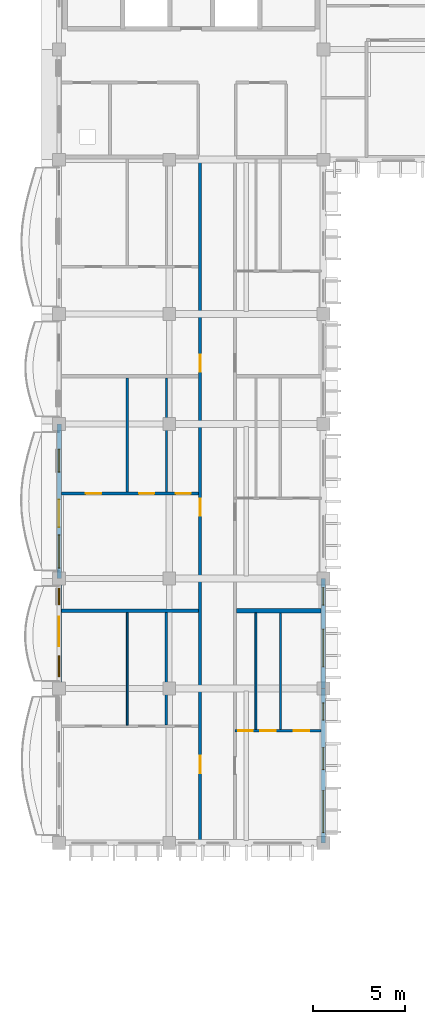
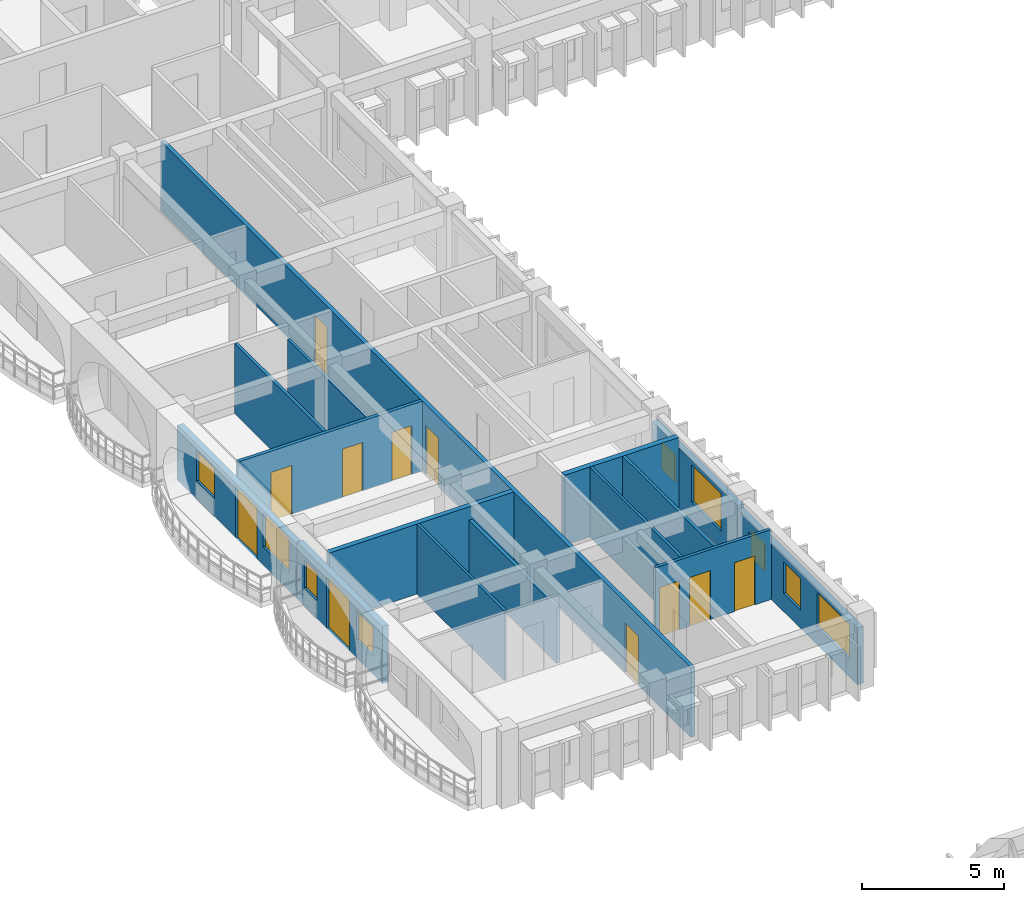
# One storey, part 48 of 101: 15 walls, 11 doors, 9 windows, 20 openings.
"""IFC4 building model written with IfcOpenShell, lengths in metres."""

from ifc_helpers import new_model, si_unit, direction, frame, frame_2d, origin, place, context, subcontext, project, spatial, rectangle, extrude, material, layer, layer_set, type_object, element, fill, save


model = new_model("IFC4")

# Units and contexts
model_context = context("Model", 3, precision=1e-05, world=origin(), true_north=direction((0.0, 1.0)))
body_context = subcontext(model_context, "Body", "Model", "MODEL_VIEW")
ifc_project = project(units=[si_unit("LENGTHUNIT", "METRE"), si_unit("AREAUNIT", "SQUARE_METRE"), si_unit("VOLUMEUNIT", "CUBIC_METRE"), si_unit("PLANEANGLEUNIT", "RADIAN"), si_unit("MASSUNIT", "GRAM", prefix="KILO"), si_unit("THERMODYNAMICTEMPERATUREUNIT", "KELVIN")], contexts=[model_context])

# Site, building, storey
site_placement = place(None, origin())
site = spatial("IfcSite", under=ifc_project, at=site_placement, CompositionType="ELEMENT")
building_placement = place(site_placement, origin())
building = spatial("IfcBuilding", under=site, at=building_placement, Name="Thalorik Housing Commons", CompositionType="ELEMENT")
storey_placement = place(building_placement, frame((0.0, 0.0, 8.10009765625)))
storey = spatial("IfcBuildingStorey", under=building, at=storey_placement, Name="L02", CompositionType="ELEMENT", Elevation=8.10009765625)

# Wall, openings, doors
ifc_material_1 = material(Name="Masonry fire-rated corridor wall", Category="masonry")
ifc_layer_1 = layer(ifc_material_1, 0.1650390625, Name="Masonry fire-rated corridor wall", Category="masonry")
ifc_layer_set_1 = layer_set([ifc_layer_1], Name="Masonry fire-rated corridor wall")
wall_type_1 = type_object("IfcWallType", Name="ARC-WAL-CORR-165", PredefinedType="PARTITIONING", material=ifc_layer_set_1)
wall_1_placement = place(storey_placement, frame((16.080078125, 72.12451171875, 0.0), z_axis=(0.0, 0.0, 1.0), x_axis=(0.0, 1.0, 0.0)))
wall_1 = element("IfcWall", 1, at=wall_1_placement, inside=storey, type_object=wall_type_1, Name="L02 Block A W Corridor Wall 1", PredefinedType="PARTITIONING", context=body_context, shape_type="SweptSolid", body=[
    extrude(rectangle(XDim=37.215576171875, YDim=0.1650390625, at=frame_2d((18.60791015625, 0.0))), origin(), (0.0, 0.0, 1.0), 3.0),
])
opening_1_placement = place(wall_1_placement, frame((3.656982421875, 0.0, 0.0)))
opening_1 = element("IfcOpeningElement", 2, at=opening_1_placement, cuts=wall_1, Name="Opening ID-0495", PredefinedType="OPENING", context=body_context, shape_type="SweptSolid", body=[
    extrude(rectangle(XDim=0.9599609375, YDim=2.1201171875, at=frame_2d((0.47998046875, 1.06005859375))), frame((0.0, 0.092529296875, 0.0), z_axis=(0.0, -1.0, 0.0), x_axis=(1.0, 0.0, 0.0)), (0.0, 0.0, 1.0), 0.18505859375),
])
opening_2_placement = place(wall_1_placement, frame((17.6904296875, 0.0, 0.0)))
opening_2 = element("IfcOpeningElement", 3, at=opening_2_placement, cuts=wall_1, Name="Opening ID-0496", PredefinedType="OPENING", context=body_context, shape_type="SweptSolid", body=[
    extrude(rectangle(XDim=0.919921875, YDim=2.10009765625, at=frame_2d((0.4599609375, 1.050048828125))), frame((0.0, 0.092529296875, 0.0), z_axis=(0.0, -1.0, 0.0), x_axis=(1.0, 0.0, 0.0)), (0.0, 0.0, 1.0), 0.18505859375),
])
opening_3_placement = place(wall_1_placement, frame((25.535400390625, 0.0, 0.0)))
opening_3 = element("IfcOpeningElement", 4, at=opening_3_placement, cuts=wall_1, Name="Opening ID-0497", PredefinedType="OPENING", context=body_context, shape_type="SweptSolid", body=[
    extrude(rectangle(XDim=0.919921875, YDim=2.10009765625, at=frame_2d((0.4599609375, 1.050048828125))), frame((0.0, 0.092529296875, 0.0), z_axis=(0.0, -1.0, 0.0), x_axis=(1.0, 0.0, 0.0)), (0.0, 0.0, 1.0), 0.18505859375),
])
ifc_material_2 = material(Name="Solid core hardwood timber", Category="wood")
door_type_1 = type_object("IfcDoorType", Name="ARC-DR-FD30-920", OperationType="NOTDEFINED", PredefinedType="DOOR", material=ifc_material_2)
door_1_placement = place(opening_2_placement, origin())
door_1 = element("IfcDoor", 5, at=door_1_placement, inside=storey, type_object=door_type_1, Name="L02 Flat AW-2A Entrance Door", OperationType="SINGLE_SWING_LEFT", OverallHeight=2.10009765625, OverallWidth=0.919921875, PredefinedType="DOOR", context=body_context, shape_type="SweptSolid", body=[
    extrude(rectangle(XDim=0.919921875, YDim=2.10009765625, at=frame_2d((0.4599609375, 1.050048828125))), frame((0.0, 0.02490234375, 0.0), z_axis=(0.0, -1.0, 0.0), x_axis=(1.0, 0.0, 0.0)), (0.0, 0.0, 1.0), 0.050048828125),
])
fill(opening_2, door_1)
door_2_placement = place(opening_3_placement, origin())
door_2 = element("IfcDoor", 6, at=door_2_placement, inside=storey, type_object=door_type_1, Name="L02 Flat AW-3A Entrance Door", OperationType="SINGLE_SWING_RIGHT", OverallHeight=2.10009765625, OverallWidth=0.919921875, PredefinedType="DOOR", context=body_context, shape_type="SweptSolid", body=[
    extrude(rectangle(XDim=0.919921875, YDim=2.10009765625, at=frame_2d((0.4599609375, 1.050048828125))), frame((0.0, 0.02490234375, 0.0), z_axis=(0.0, -1.0, 0.0), x_axis=(1.0, 0.0, 0.0)), (0.0, 0.0, 1.0), 0.050048828125),
])
fill(opening_3, door_2)
door_type_2 = type_object("IfcDoorType", Name="ARC-DR-FD30-960", OperationType="NOTDEFINED", PredefinedType="DOOR", material=ifc_material_2)
door_3_placement = place(opening_1_placement, origin())
door_3 = element("IfcDoor", 7, at=door_3_placement, inside=storey, type_object=door_type_2, Name="L02 Flat AW-1A Entrance Door", OperationType="SINGLE_SWING_RIGHT", OverallHeight=2.1201171875, OverallWidth=0.9599609375, PredefinedType="DOOR", context=body_context, shape_type="SweptSolid", body=[
    extrude(rectangle(XDim=0.9599609375, YDim=2.1201171875, at=frame_2d((0.47998046875, 1.06005859375))), frame((0.0, 0.02490234375, 0.0), z_axis=(0.0, -1.0, 0.0), x_axis=(1.0, 0.0, 0.0)), (0.0, 0.0, 1.0), 0.050048828125),
])
fill(opening_1, door_3)

# Wall, openings, door, windows
ifc_material_3 = material(Name="White precast concrete C40/50", Category="concrete")
ifc_layer_2 = layer(ifc_material_3, 0.2451171875, Name="White precast concrete C40/50", Category="concrete")
ifc_layer_set_2 = layer_set([ifc_layer_2], Name="White precast concrete C40/50")
wall_type_2 = type_object("IfcWallType", Name="ARC-WAL-EXT-245", PredefinedType="STANDARD", material=ifc_layer_set_2)
wall_2_placement = place(storey_placement, frame((8.39990234375, 94.800048828125, 0.0), z_axis=(0.0, 0.0, 1.0), x_axis=(0.0, -1.0, 0.0)))
wall_2 = element("IfcWall", 8, at=wall_2_placement, inside=storey, type_object=wall_type_2, Name="L02 Exterior Wall WAL-EXT-L02-A-0075", PredefinedType="STANDARD", context=body_context, shape_type="SweptSolid", body=[
    extrude(rectangle(XDim=8.400146484375, YDim=0.2451171875, at=frame_2d((4.2001953125, 0.0))), origin(), (0.0, 0.0, 1.0), 2.344970703125),
])
opening_4_placement = place(wall_2_placement, frame((4.10498046875, 0.0, 0.0)))
opening_4 = element("IfcOpeningElement", 9, at=opening_4_placement, cuts=wall_2, Name="Opening ED-0017", PredefinedType="OPENING", context=body_context, shape_type="SweptSolid", body=[
    extrude(rectangle(XDim=1.5, YDim=2.199951171875, at=frame_2d((0.75, 1.10009765625))), frame((0.0, 0.132568359375, 0.0), z_axis=(0.0, -1.0, 0.0), x_axis=(1.0, 0.0, 0.0)), (0.0, 0.0, 1.0), 0.26513671875),
])
opening_5_placement = place(wall_2_placement, frame((1.357421875, 0.0, 0.780029296875)))
opening_5 = element("IfcOpeningElement", 10, at=opening_5_placement, cuts=wall_2, Name="Opening W-46", PredefinedType="OPENING", context=body_context, shape_type="SweptSolid", body=[
    extrude(rectangle(XDim=1.25, YDim=1.300048828125, at=frame_2d((0.625, 0.64990234375))), frame((0.0, 0.132568359375, 0.0), z_axis=(0.0, -1.0, 0.0), x_axis=(1.0, 0.0, 0.0)), (0.0, 0.0, 1.0), 0.26513671875),
])
opening_6_placement = place(wall_2_placement, frame((6.0224609375, 0.0, 0.780029296875)))
opening_6 = element("IfcOpeningElement", 11, at=opening_6_placement, cuts=wall_2, Name="Opening W-58", PredefinedType="OPENING", context=body_context, shape_type="SweptSolid", body=[
    extrude(rectangle(XDim=1.820068359375, YDim=1.4599609375, at=frame_2d((0.91015625, 0.72998046875))), frame((0.0, 0.132568359375, 0.0), z_axis=(0.0, -1.0, 0.0), x_axis=(1.0, 0.0, 0.0)), (0.0, 0.0, 1.0), 0.26513671875),
])
ifc_material_4 = material(Name="Anodised aluminium and laminated safety glass", Category="aluminium")
door_type_3 = type_object("IfcDoorType", Name="ARC-DR-BAL-1500", OperationType="NOTDEFINED", PredefinedType="DOOR", material=ifc_material_4)
door_4_placement = place(opening_4_placement, frame((1.5, 0.0, 0.0), z_axis=(0.0, 0.0, 1.0), x_axis=(-1.0, 0.0, 0.0)))
door_4 = element("IfcDoor", 12, at=door_4_placement, inside=storey, type_object=door_type_3, Name="L02 Block A Balcony Glazed Door", OperationType="SLIDING_TO_RIGHT", OverallHeight=2.199951171875, OverallWidth=1.5, PredefinedType="DOOR", context=body_context, shape_type="SweptSolid", body=[
    extrude(rectangle(XDim=1.5, YDim=2.199951171875, at=frame_2d((0.75, 1.10009765625))), frame((0.0, 0.02490234375, 0.0), z_axis=(0.0, -1.0, 0.0), x_axis=(1.0, 0.0, 0.0)), (0.0, 0.0, 1.0), 0.050048828125),
])
fill(opening_4, door_4)
ifc_material_5 = material(Name="Anodised aluminium and solar-control low-E glass", Category="aluminium")
window_type_1 = type_object("IfcWindowType", Name="ARC-WIN-46", PartitioningType="SINGLE_PANEL", PredefinedType="WINDOW", material=ifc_material_5)
window_1_placement = place(opening_5_placement, origin())
window_1 = element("IfcWindow", 13, at=window_1_placement, inside=storey, type_object=window_type_1, Name="L02 Facade Window 129", OverallHeight=1.300048828125, OverallWidth=1.25, PartitioningType="SINGLE_PANEL", PredefinedType="WINDOW", context=body_context, shape_type="SweptSolid", body=[
    extrude(rectangle(XDim=1.25, YDim=1.300048828125, at=frame_2d((0.625, 0.64990234375))), frame((0.0, 0.030029296875, 0.0), z_axis=(0.0, -1.0, 0.0), x_axis=(1.0, 0.0, 0.0)), (0.0, 0.0, 1.0), 0.06005859375),
])
fill(opening_5, window_1)
window_type_2 = type_object("IfcWindowType", Name="ARC-WIN-58", PartitioningType="DOUBLE_PANEL_VERTICAL", PredefinedType="WINDOW", material=ifc_material_5)
window_2_placement = place(opening_6_placement, origin())
window_2 = element("IfcWindow", 14, at=window_2_placement, inside=storey, type_object=window_type_2, Name="L02 Facade Window 130", OverallHeight=1.4599609375, OverallWidth=1.820068359375, PartitioningType="DOUBLE_PANEL_VERTICAL", PredefinedType="WINDOW", context=body_context, shape_type="SweptSolid", body=[
    extrude(rectangle(XDim=1.820068359375, YDim=1.4599609375, at=frame_2d((0.91015625, 0.72998046875))), frame((0.0, 0.030029296875, 0.0), z_axis=(0.0, -1.0, 0.0), x_axis=(1.0, 0.0, 0.0)), (0.0, 0.0, 1.0), 0.06005859375),
])
fill(opening_6, window_2)

wall_3_placement = place(storey_placement, frame((8.39990234375, 86.39990234375, 0.0), z_axis=(0.0, 0.0, 1.0), x_axis=(0.0, -1.0, 0.0)))
wall_3 = element("IfcWall", 15, at=wall_3_placement, inside=storey, type_object=wall_type_2, Name="L02 Exterior Wall WAL-EXT-L02-A-0076", PredefinedType="STANDARD", context=body_context, shape_type="SweptSolid", body=[
    extrude(rectangle(XDim=6.0, YDim=0.2451171875, at=frame_2d((3.0, 0.0))), origin(), (0.0, 0.0, 1.0), 2.44482421875),
])
opening_7_placement = place(wall_3_placement, frame((2.090087890625, 0.0, 0.0)))
opening_7 = element("IfcOpeningElement", 16, at=opening_7_placement, cuts=wall_3, Name="Opening ED-0018", PredefinedType="OPENING", context=body_context, shape_type="SweptSolid", body=[
    extrude(rectangle(XDim=1.60009765625, YDim=2.199951171875, at=frame_2d((0.800048828125, 1.10009765625))), frame((0.0, 0.132568359375, 0.0), z_axis=(0.0, -1.0, 0.0), x_axis=(1.0, 0.0, 0.0)), (0.0, 0.0, 1.0), 0.26513671875),
])
opening_8_placement = place(wall_3_placement, frame((0.52490234375, 0.0, 0.780029296875)))
opening_8 = element("IfcOpeningElement", 17, at=opening_8_placement, cuts=wall_3, Name="Opening W-01", PredefinedType="OPENING", context=body_context, shape_type="SweptSolid", body=[
    extrude(rectangle(XDim=0.89990234375, YDim=1.199951171875, at=frame_2d((0.449951171875, 0.60009765625))), frame((0.0, 0.132568359375, 0.0), z_axis=(0.0, -1.0, 0.0), x_axis=(1.0, 0.0, 0.0)), (0.0, 0.0, 1.0), 0.26513671875),
])
opening_9_placement = place(wall_3_placement, frame((4.199951171875, 0.0, 0.780029296875)))
opening_9 = element("IfcOpeningElement", 18, at=opening_9_placement, cuts=wall_3, Name="Opening W-45", PredefinedType="OPENING", context=body_context, shape_type="SweptSolid", body=[
    extrude(rectangle(XDim=1.14990234375, YDim=1.25, at=frame_2d((0.574951171875, 0.625))), frame((0.0, 0.132568359375, 0.0), z_axis=(0.0, -1.0, 0.0), x_axis=(1.0, 0.0, 0.0)), (0.0, 0.0, 1.0), 0.26513671875),
])
door_type_4 = type_object("IfcDoorType", Name="ARC-DR-BAL-1600", OperationType="NOTDEFINED", PredefinedType="DOOR", material=ifc_material_4)
door_5_placement = place(opening_7_placement, frame((1.60009765625, 0.0, 0.0), z_axis=(0.0, 0.0, 1.0), x_axis=(-1.0, 0.0, 0.0)))
door_5 = element("IfcDoor", 19, at=door_5_placement, inside=storey, type_object=door_type_4, Name="L02 Block A Balcony Glazed Door", OperationType="SLIDING_TO_LEFT", OverallHeight=2.199951171875, OverallWidth=1.60009765625, PredefinedType="DOOR", context=body_context, shape_type="SweptSolid", body=[
    extrude(rectangle(XDim=1.60009765625, YDim=2.199951171875, at=frame_2d((0.800048828125, 1.10009765625))), frame((0.0, 0.02490234375, 0.0), z_axis=(0.0, -1.0, 0.0), x_axis=(1.0, 0.0, 0.0)), (0.0, 0.0, 1.0), 0.050048828125),
])
fill(opening_7, door_5)
window_type_3 = type_object("IfcWindowType", Name="ARC-WIN-01", PartitioningType="SINGLE_PANEL", PredefinedType="WINDOW", material=ifc_material_5)
window_3_placement = place(opening_8_placement, origin())
window_3 = element("IfcWindow", 20, at=window_3_placement, inside=storey, type_object=window_type_3, Name="L02 Facade Window 131", OverallHeight=1.199951171875, OverallWidth=0.89990234375, PartitioningType="SINGLE_PANEL", PredefinedType="WINDOW", context=body_context, shape_type="SweptSolid", body=[
    extrude(rectangle(XDim=0.89990234375, YDim=1.199951171875, at=frame_2d((0.449951171875, 0.60009765625))), frame((0.0, 0.030029296875, 0.0), z_axis=(0.0, -1.0, 0.0), x_axis=(1.0, 0.0, 0.0)), (0.0, 0.0, 1.0), 0.06005859375),
])
fill(opening_8, window_3)
window_type_4 = type_object("IfcWindowType", Name="ARC-WIN-45", PartitioningType="SINGLE_PANEL", PredefinedType="WINDOW", material=ifc_material_5)
window_4_placement = place(opening_9_placement, origin())
window_4 = element("IfcWindow", 21, at=window_4_placement, inside=storey, type_object=window_type_4, Name="L02 Facade Window 132", OverallHeight=1.25, OverallWidth=1.14990234375, PartitioningType="SINGLE_PANEL", PredefinedType="WINDOW", context=body_context, shape_type="SweptSolid", body=[
    extrude(rectangle(XDim=1.14990234375, YDim=1.25, at=frame_2d((0.574951171875, 0.625))), frame((0.0, 0.030029296875, 0.0), z_axis=(0.0, -1.0, 0.0), x_axis=(1.0, 0.0, 0.0)), (0.0, 0.0, 1.0), 0.06005859375),
])
fill(opening_9, window_4)

# Wall, openings, windows
wall_4_placement = place(storey_placement, frame((22.800048828125, 72.0, 0.0), z_axis=(0.0, 0.0, 1.0), x_axis=(0.0, 1.0, 0.0)))
wall_4 = element("IfcWall", 22, at=wall_4_placement, inside=storey, type_object=wall_type_2, Name="L02 Exterior Wall WAL-EXT-L02-A-0080", PredefinedType="STANDARD", context=body_context, shape_type="SweptSolid", body=[
    extrude(rectangle(XDim=8.39990234375, YDim=0.2451171875, at=frame_2d((4.199951171875, 0.0))), origin(), (0.0, 0.0, 1.0), 2.4248046875),
])
opening_10_placement = place(wall_4_placement, frame((0.56201171875, 0.0, 0.780029296875)))
opening_10 = element("IfcOpeningElement", 23, at=opening_10_placement, cuts=wall_4, Name="Opening W-67", PredefinedType="OPENING", context=body_context, shape_type="SweptSolid", body=[
    extrude(rectangle(XDim=2.280029296875, YDim=1.4599609375, at=frame_2d((1.14013671875, 0.72998046875))), frame((0.0, 0.132568359375, 0.0), z_axis=(0.0, -1.0, 0.0), x_axis=(1.0, 0.0, 0.0)), (0.0, 0.0, 1.0), 0.26513671875),
])
opening_11_placement = place(wall_4_placement, frame((3.986328125, 0.0, 0.780029296875)))
opening_11 = element("IfcOpeningElement", 24, at=opening_11_placement, cuts=wall_4, Name="Opening W-04", PredefinedType="OPENING", context=body_context, shape_type="SweptSolid", body=[
    extrude(rectangle(XDim=1.199951171875, YDim=1.35009765625, at=frame_2d((0.60009765625, 0.675048828125))), frame((0.0, 0.132568359375, 0.0), z_axis=(0.0, -1.0, 0.0), x_axis=(1.0, 0.0, 0.0)), (0.0, 0.0, 1.0), 0.26513671875),
])
opening_12_placement = place(wall_4_placement, frame((6.67919921875, 0.0, 0.780029296875)))
opening_12 = element("IfcOpeningElement", 25, at=opening_12_placement, cuts=wall_4, Name="Opening W-43", PredefinedType="OPENING", context=body_context, shape_type="SweptSolid", body=[
    extrude(rectangle(XDim=0.949951171875, YDim=1.14990234375, at=frame_2d((0.47509765625, 0.574951171875))), frame((0.0, 0.132568359375, 0.0), z_axis=(0.0, -1.0, 0.0), x_axis=(1.0, 0.0, 0.0)), (0.0, 0.0, 1.0), 0.26513671875),
])
window_type_5 = type_object("IfcWindowType", Name="ARC-WIN-04", PartitioningType="SINGLE_PANEL", PredefinedType="WINDOW", material=ifc_material_5)
window_5_placement = place(opening_11_placement, origin())
window_5 = element("IfcWindow", 26, at=window_5_placement, inside=storey, type_object=window_type_5, Name="L02 Facade Window 142", OverallHeight=1.35009765625, OverallWidth=1.199951171875, PartitioningType="SINGLE_PANEL", PredefinedType="WINDOW", context=body_context, shape_type="SweptSolid", body=[
    extrude(rectangle(XDim=1.199951171875, YDim=1.35009765625, at=frame_2d((0.60009765625, 0.675048828125))), frame((0.0, 0.030029296875, 0.0), z_axis=(0.0, -1.0, 0.0), x_axis=(1.0, 0.0, 0.0)), (0.0, 0.0, 1.0), 0.06005859375),
])
fill(opening_11, window_5)
window_type_6 = type_object("IfcWindowType", Name="ARC-WIN-43", PartitioningType="SINGLE_PANEL", PredefinedType="WINDOW", material=ifc_material_5)
window_6_placement = place(opening_12_placement, origin())
window_6 = element("IfcWindow", 27, at=window_6_placement, inside=storey, type_object=window_type_6, Name="L02 Facade Window 143", OverallHeight=1.14990234375, OverallWidth=0.949951171875, PartitioningType="SINGLE_PANEL", PredefinedType="WINDOW", context=body_context, shape_type="SweptSolid", body=[
    extrude(rectangle(XDim=0.949951171875, YDim=1.14990234375, at=frame_2d((0.47509765625, 0.574951171875))), frame((0.0, 0.030029296875, 0.0), z_axis=(0.0, -1.0, 0.0), x_axis=(1.0, 0.0, 0.0)), (0.0, 0.0, 1.0), 0.06005859375),
])
fill(opening_12, window_6)
window_type_7 = type_object("IfcWindowType", Name="ARC-WIN-67", PartitioningType="DOUBLE_PANEL_VERTICAL", PredefinedType="WINDOW", material=ifc_material_5)
window_7_placement = place(opening_10_placement, origin())
window_7 = element("IfcWindow", 28, at=window_7_placement, inside=storey, type_object=window_type_7, Name="L02 Facade Window 141", OverallHeight=1.4599609375, OverallWidth=2.280029296875, PartitioningType="DOUBLE_PANEL_VERTICAL", PredefinedType="WINDOW", context=body_context, shape_type="SweptSolid", body=[
    extrude(rectangle(XDim=2.280029296875, YDim=1.4599609375, at=frame_2d((1.14013671875, 0.72998046875))), frame((0.0, 0.030029296875, 0.0), z_axis=(0.0, -1.0, 0.0), x_axis=(1.0, 0.0, 0.0)), (0.0, 0.0, 1.0), 0.06005859375),
])
fill(opening_10, window_7)

wall_5_placement = place(storey_placement, frame((22.800048828125, 80.39990234375, 0.0), z_axis=(0.0, 0.0, 1.0), x_axis=(0.0, 1.0, 0.0)))
wall_5 = element("IfcWall", 29, at=wall_5_placement, inside=storey, type_object=wall_type_2, Name="L02 Exterior Wall WAL-EXT-L02-A-0081", PredefinedType="STANDARD", context=body_context, shape_type="SweptSolid", body=[
    extrude(rectangle(XDim=6.0, YDim=0.2451171875, at=frame_2d((3.0, 0.0))), origin(), (0.0, 0.0, 1.0), 2.574951171875),
])
opening_13_placement = place(wall_5_placement, frame((1.18994140625, 0.0, 0.780029296875)))
opening_13 = element("IfcOpeningElement", 30, at=opening_13_placement, cuts=wall_5, Name="Opening W-25", PredefinedType="OPENING", context=body_context, shape_type="SweptSolid", body=[
    extrude(rectangle(XDim=2.050048828125, YDim=1.60009765625, at=frame_2d((1.02490234375, 0.800048828125))), frame((0.0, 0.132568359375, 0.0), z_axis=(0.0, -1.0, 0.0), x_axis=(1.0, 0.0, 0.0)), (0.0, 0.0, 1.0), 0.26513671875),
])
opening_14_placement = place(wall_5_placement, frame((4.550048828125, 0.0, 0.780029296875)))
opening_14 = element("IfcOpeningElement", 31, at=opening_14_placement, cuts=wall_5, Name="Opening W-43", PredefinedType="OPENING", context=body_context, shape_type="SweptSolid", body=[
    extrude(rectangle(XDim=0.949951171875, YDim=1.14990234375, at=frame_2d((0.47509765625, 0.574951171875))), frame((0.0, 0.132568359375, 0.0), z_axis=(0.0, -1.0, 0.0), x_axis=(1.0, 0.0, 0.0)), (0.0, 0.0, 1.0), 0.26513671875),
])
window_type_8 = type_object("IfcWindowType", Name="ARC-WIN-25", PartitioningType="DOUBLE_PANEL_VERTICAL", PredefinedType="WINDOW", material=ifc_material_5)
window_8_placement = place(opening_13_placement, origin())
window_8 = element("IfcWindow", 32, at=window_8_placement, inside=storey, type_object=window_type_8, Name="L02 Facade Window 144", OverallHeight=1.60009765625, OverallWidth=2.050048828125, PartitioningType="DOUBLE_PANEL_VERTICAL", PredefinedType="WINDOW", context=body_context, shape_type="SweptSolid", body=[
    extrude(rectangle(XDim=2.050048828125, YDim=1.60009765625, at=frame_2d((1.02490234375, 0.800048828125))), frame((0.0, 0.030029296875, 0.0), z_axis=(0.0, -1.0, 0.0), x_axis=(1.0, 0.0, 0.0)), (0.0, 0.0, 1.0), 0.06005859375),
])
fill(opening_13, window_8)
window_9_placement = place(opening_14_placement, origin())
window_9 = element("IfcWindow", 33, at=window_9_placement, inside=storey, type_object=window_type_6, Name="L02 Facade Window 145", OverallHeight=1.14990234375, OverallWidth=0.949951171875, PartitioningType="SINGLE_PANEL", PredefinedType="WINDOW", context=body_context, shape_type="SweptSolid", body=[
    extrude(rectangle(XDim=0.949951171875, YDim=1.14990234375, at=frame_2d((0.47509765625, 0.574951171875))), frame((0.0, 0.030029296875, 0.0), z_axis=(0.0, -1.0, 0.0), x_axis=(1.0, 0.0, 0.0)), (0.0, 0.0, 1.0), 0.06005859375),
])
fill(opening_14, window_9)

# Walls
ifc_material_6 = material(Name="Gypsum light stud partition", Category="masonry")
ifc_layer_3 = layer(ifc_material_6, 0.10009765625, Name="Gypsum light stud partition", Category="masonry")
ifc_layer_set_3 = layer_set([ifc_layer_3], Name="Gypsum light stud partition")
wall_type_3 = type_object("IfcWallType", Name="ARC-WAL-PART-100", PredefinedType="PARTITIONING", material=ifc_layer_set_3)
wall_6_placement = place(storey_placement, frame((12.11767578125, 78.409423828125, 0.0), z_axis=(0.0, 0.0, 1.0), x_axis=(0.0, 1.0, 0.0)))
element("IfcWall", 34, at=wall_6_placement, inside=storey, type_object=wall_type_3, Name="L02 Unit 1 Bedroom Partition", PredefinedType="PARTITIONING", context=body_context, shape_type="SweptSolid", body=[
    extrude(rectangle(XDim=6.128662109375, YDim=0.10009765625, at=frame_2d((3.064453125, 0.0))), origin(), (0.0, 0.0, 1.0), 3.0),
])
wall_7_placement = place(storey_placement, frame((19.122314453125, 78.162841796875, 0.0), z_axis=(0.0, 0.0, 1.0), x_axis=(0.0, 1.0, 0.0)))
element("IfcWall", 35, at=wall_7_placement, inside=storey, type_object=wall_type_3, Name="L02 Unit 1B Wet Wall", PredefinedType="PARTITIONING", context=body_context, shape_type="SweptSolid", body=[
    extrude(rectangle(XDim=6.365234375, YDim=0.10009765625, at=frame_2d((3.1826171875, 0.0))), origin(), (0.0, 0.0, 1.0), 3.0),
])
ifc_material_7 = material(Name="Gypsum moisture-resistant partition", Category="masonry")
ifc_layer_4 = layer(ifc_material_7, 0.114990234375, Name="Gypsum moisture-resistant partition", Category="masonry")
ifc_layer_set_4 = layer_set([ifc_layer_4], Name="Gypsum moisture-resistant partition")
wall_type_4 = type_object("IfcWallType", Name="ARC-WAL-PART-115", PredefinedType="PARTITIONING", material=ifc_layer_set_4)
wall_8_placement = place(storey_placement, frame((20.455078125, 78.162841796875, 0.0), z_axis=(0.0, 0.0, 1.0), x_axis=(0.0, 1.0, 0.0)))
element("IfcWall", 36, at=wall_8_placement, inside=storey, type_object=wall_type_4, Name="L02 Unit 1B Bedroom Partition", PredefinedType="PARTITIONING", context=body_context, shape_type="SweptSolid", body=[
    extrude(rectangle(XDim=6.365234375, YDim=0.114990234375, at=frame_2d((3.1826171875, 0.0))), origin(), (0.0, 0.0, 1.0), 3.0),
])
wall_9_placement = place(storey_placement, frame((14.251220703125, 91.096923828125, 0.0), z_axis=(0.0, 0.0, 1.0), x_axis=(0.0, 1.0, 0.0)))
element("IfcWall", 37, at=wall_9_placement, inside=storey, type_object=wall_type_4, Name="L02 Unit 2 Wet Wall", PredefinedType="PARTITIONING", context=body_context, shape_type="SweptSolid", body=[
    extrude(rectangle(XDim=6.218505859375, YDim=0.114990234375, at=frame_2d((3.109375, 0.0))), origin(), (0.0, 0.0, 1.0), 2.4248046875),
])

# Wall, openings, doors
ifc_material_8 = material(Name="Gypsum acoustic stud partition", Category="masonry")
ifc_layer_5 = layer(ifc_material_8, 0.125, Name="Gypsum acoustic stud partition", Category="masonry")
ifc_layer_set_5 = layer_set([ifc_layer_5], Name="Gypsum acoustic stud partition")
wall_type_5 = type_object("IfcWallType", Name="ARC-WAL-PART-125", PredefinedType="PARTITIONING", material=ifc_layer_set_5)
wall_10_placement = place(storey_placement, frame((17.97998046875, 78.098388671875, 0.0), z_axis=(0.0, 0.0, 1.0), x_axis=(1.0, 0.0, 0.0)))
wall_10 = element("IfcWall", 38, at=wall_10_placement, inside=storey, type_object=wall_type_5, Name="L02 Unit 1B Spine Partition", PredefinedType="PARTITIONING", context=body_context, shape_type="SweptSolid", body=[
    extrude(rectangle(XDim=4.695556640625, YDim=0.125, at=frame_2d((2.34765625, 0.0))), origin(), (0.0, 0.0, 1.0), 3.0),
])
opening_15_placement = place(wall_10_placement, frame((0.171142578125, 0.0, 0.0)))
opening_15 = element("IfcOpeningElement", 39, at=opening_15_placement, cuts=wall_10, Name="Opening ID-0480", PredefinedType="OPENING", context=body_context, shape_type="SweptSolid", body=[
    extrude(rectangle(XDim=0.800048828125, YDim=2.10009765625, at=frame_2d((0.39990234375, 1.050048828125))), frame((0.0, 0.072509765625, 0.0), z_axis=(0.0, -1.0, 0.0), x_axis=(1.0, 0.0, 0.0)), (0.0, 0.0, 1.0), 0.14501953125),
])
opening_16_placement = place(wall_10_placement, frame((1.3837890625, 0.0, 0.0)))
opening_16 = element("IfcOpeningElement", 40, at=opening_16_placement, cuts=wall_10, Name="Opening ID-0481", PredefinedType="OPENING", context=body_context, shape_type="SweptSolid", body=[
    extrude(rectangle(XDim=0.85009765625, YDim=2.10009765625, at=frame_2d((0.425048828125, 1.050048828125))), frame((0.0, 0.072509765625, 0.0), z_axis=(0.0, -1.0, 0.0), x_axis=(1.0, 0.0, 0.0)), (0.0, 0.0, 1.0), 0.14501953125),
])
opening_17_placement = place(wall_10_placement, frame((3.192626953125, 0.0, 0.0)))
opening_17 = element("IfcOpeningElement", 41, at=opening_17_placement, cuts=wall_10, Name="Opening ID-0482", PredefinedType="OPENING", context=body_context, shape_type="SweptSolid", body=[
    extrude(rectangle(XDim=0.85009765625, YDim=2.10009765625, at=frame_2d((0.425048828125, 1.050048828125))), frame((0.0, 0.072509765625, 0.0), z_axis=(0.0, -1.0, 0.0), x_axis=(1.0, 0.0, 0.0)), (0.0, 0.0, 1.0), 0.14501953125),
])
ifc_material_9 = material(Name="Moisture-resistant timber", Category="wood")
door_type_5 = type_object("IfcDoorType", Name="ARC-DR-INT-800", OperationType="NOTDEFINED", PredefinedType="DOOR", material=ifc_material_9)
door_6_placement = place(opening_15_placement, origin())
door_6 = element("IfcDoor", 42, at=door_6_placement, inside=storey, type_object=door_type_5, Name="L02 Accessible Bathroom Door", OperationType="SINGLE_SWING_LEFT", OverallHeight=2.10009765625, OverallWidth=0.800048828125, PredefinedType="DOOR", context=body_context, shape_type="SweptSolid", body=[
    extrude(rectangle(XDim=0.800048828125, YDim=2.10009765625, at=frame_2d((0.39990234375, 1.050048828125))), frame((0.0, 0.02490234375, 0.0), z_axis=(0.0, -1.0, 0.0), x_axis=(1.0, 0.0, 0.0)), (0.0, 0.0, 1.0), 0.050048828125),
])
fill(opening_15, door_6)
ifc_material_10 = material(Name="Engineered oak timber", Category="wood")
door_type_6 = type_object("IfcDoorType", Name="ARC-DR-INT-850", OperationType="NOTDEFINED", PredefinedType="DOOR", material=ifc_material_10)
door_7_placement = place(opening_16_placement, origin())
door_7 = element("IfcDoor", 43, at=door_7_placement, inside=storey, type_object=door_type_6, Name="L02 Galley Kitchen Door", OperationType="SINGLE_SWING_RIGHT", OverallHeight=2.10009765625, OverallWidth=0.85009765625, PredefinedType="DOOR", context=body_context, shape_type="SweptSolid", body=[
    extrude(rectangle(XDim=0.85009765625, YDim=2.10009765625, at=frame_2d((0.425048828125, 1.050048828125))), frame((0.0, 0.02490234375, 0.0), z_axis=(0.0, -1.0, 0.0), x_axis=(1.0, 0.0, 0.0)), (0.0, 0.0, 1.0), 0.050048828125),
])
fill(opening_16, door_7)
door_8_placement = place(opening_17_placement, origin())
door_8 = element("IfcDoor", 44, at=door_8_placement, inside=storey, type_object=door_type_6, Name="L02 Double Bedroom Door", OperationType="SINGLE_SWING_LEFT", OverallHeight=2.10009765625, OverallWidth=0.85009765625, PredefinedType="DOOR", context=body_context, shape_type="SweptSolid", body=[
    extrude(rectangle(XDim=0.85009765625, YDim=2.10009765625, at=frame_2d((0.425048828125, 1.050048828125))), frame((0.0, 0.02490234375, 0.0), z_axis=(0.0, -1.0, 0.0), x_axis=(1.0, 0.0, 0.0)), (0.0, 0.0, 1.0), 0.050048828125),
])
fill(opening_17, door_8)

# Walls
wall_11_placement = place(storey_placement, frame((12.11767578125, 91.096923828125, 0.0), z_axis=(0.0, 0.0, 1.0), x_axis=(0.0, 1.0, 0.0)))
element("IfcWall", 45, at=wall_11_placement, inside=storey, type_object=wall_type_5, Name="L02 Unit 2 Bedroom Partition", PredefinedType="PARTITIONING", context=body_context, shape_type="SweptSolid", body=[
    extrude(rectangle(XDim=6.218505859375, YDim=0.125, at=frame_2d((3.109375, 0.0))), origin(), (0.0, 0.0, 1.0), 3.0),
])
ifc_material_11 = material(Name="Ceramic masonry partition wall", Category="masonry")
ifc_layer_6 = layer(ifc_material_11, 0.139892578125, Name="Ceramic masonry partition wall", Category="masonry")
ifc_layer_set_6 = layer_set([ifc_layer_6], Name="Ceramic masonry partition wall")
wall_type_6 = type_object("IfcWallType", Name="ARC-WAL-PART-140", PredefinedType="PARTITIONING", material=ifc_layer_set_6)
wall_12_placement = place(storey_placement, frame((14.251220703125, 78.409423828125, 0.0), z_axis=(0.0, 0.0, 1.0), x_axis=(0.0, 1.0, 0.0)))
element("IfcWall", 46, at=wall_12_placement, inside=storey, type_object=wall_type_6, Name="L02 Unit 1 Wet Wall", PredefinedType="PARTITIONING", context=body_context, shape_type="SweptSolid", body=[
    extrude(rectangle(XDim=6.128662109375, YDim=0.139892578125, at=frame_2d((3.064453125, 0.0))), origin(), (0.0, 0.0, 1.0), 2.4248046875),
])

# Wall, openings, doors
wall_13_placement = place(storey_placement, frame((8.5244140625, 91.02490234375, 0.0), z_axis=(0.0, 0.0, 1.0), x_axis=(1.0, 0.0, 0.0)))
wall_13 = element("IfcWall", 47, at=wall_13_placement, inside=storey, type_object=wall_type_6, Name="L02 Unit 2 Spine Partition", PredefinedType="PARTITIONING", context=body_context, shape_type="SweptSolid", body=[
    extrude(rectangle(XDim=7.47119140625, YDim=0.139892578125, at=frame_2d((3.735595703125, 0.0))), origin(), (0.0, 0.0, 1.0), 3.0),
])
opening_18_placement = place(wall_13_placement, frame((1.33935546875, 0.0, 0.0)))
opening_18 = element("IfcOpeningElement", 48, at=opening_18_placement, cuts=wall_13, Name="Opening ID-0483", PredefinedType="OPENING", context=body_context, shape_type="SweptSolid", body=[
    extrude(rectangle(XDim=0.85009765625, YDim=2.10009765625, at=frame_2d((0.425048828125, 1.050048828125))), frame((0.0, 0.080078125, 0.0), z_axis=(0.0, -1.0, 0.0), x_axis=(1.0, 0.0, 0.0)), (0.0, 0.0, 1.0), 0.159912109375),
])
opening_19_placement = place(wall_13_placement, frame((4.23486328125, 0.0, 0.0)))
opening_19 = element("IfcOpeningElement", 49, at=opening_19_placement, cuts=wall_13, Name="Opening ID-0484", PredefinedType="OPENING", context=body_context, shape_type="SweptSolid", body=[
    extrude(rectangle(XDim=0.820068359375, YDim=2.080078125, at=frame_2d((0.41015625, 1.0400390625))), frame((0.0, 0.080078125, 0.0), z_axis=(0.0, -1.0, 0.0), x_axis=(1.0, 0.0, 0.0)), (0.0, 0.0, 1.0), 0.159912109375),
])
opening_20_placement = place(wall_13_placement, frame((6.2412109375, 0.0, 0.0)))
opening_20 = element("IfcOpeningElement", 50, at=opening_20_placement, cuts=wall_13, Name="Opening ID-0485", PredefinedType="OPENING", context=body_context, shape_type="SweptSolid", body=[
    extrude(rectangle(XDim=0.800048828125, YDim=2.10009765625, at=frame_2d((0.39990234375, 1.050048828125))), frame((0.0, 0.080078125, 0.0), z_axis=(0.0, -1.0, 0.0), x_axis=(1.0, 0.0, 0.0)), (0.0, 0.0, 1.0), 0.159912109375),
])
door_9_placement = place(opening_20_placement, origin())
door_9 = element("IfcDoor", 51, at=door_9_placement, inside=storey, type_object=door_type_5, Name="L02 Flat Bathroom Door", OperationType="SINGLE_SWING_RIGHT", OverallHeight=2.10009765625, OverallWidth=0.800048828125, PredefinedType="DOOR", context=body_context, shape_type="SweptSolid", body=[
    extrude(rectangle(XDim=0.800048828125, YDim=2.10009765625, at=frame_2d((0.39990234375, 1.050048828125))), frame((0.0, 0.02490234375, 0.0), z_axis=(0.0, -1.0, 0.0), x_axis=(1.0, 0.0, 0.0)), (0.0, 0.0, 1.0), 0.050048828125),
])
fill(opening_20, door_9)
door_type_7 = type_object("IfcDoorType", Name="ARC-DR-INT-820", OperationType="NOTDEFINED", PredefinedType="DOOR", material=ifc_material_10)
door_10_placement = place(opening_19_placement, origin())
door_10 = element("IfcDoor", 52, at=door_10_placement, inside=storey, type_object=door_type_7, Name="L02 Galley Kitchen Door", OperationType="SINGLE_SWING_LEFT", OverallHeight=2.080078125, OverallWidth=0.820068359375, PredefinedType="DOOR", context=body_context, shape_type="SweptSolid", body=[
    extrude(rectangle(XDim=0.820068359375, YDim=2.080078125, at=frame_2d((0.41015625, 1.0400390625))), frame((0.0, 0.02490234375, 0.0), z_axis=(0.0, -1.0, 0.0), x_axis=(1.0, 0.0, 0.0)), (0.0, 0.0, 1.0), 0.050048828125),
])
fill(opening_19, door_10)
door_11_placement = place(opening_18_placement, origin())
door_11 = element("IfcDoor", 53, at=door_11_placement, inside=storey, type_object=door_type_6, Name="L02 Single Bedroom Door", OperationType="SINGLE_SWING_RIGHT", OverallHeight=2.10009765625, OverallWidth=0.85009765625, PredefinedType="DOOR", context=body_context, shape_type="SweptSolid", body=[
    extrude(rectangle(XDim=0.85009765625, YDim=2.10009765625, at=frame_2d((0.425048828125, 1.050048828125))), frame((0.0, 0.02490234375, 0.0), z_axis=(0.0, -1.0, 0.0), x_axis=(1.0, 0.0, 0.0)), (0.0, 0.0, 1.0), 0.050048828125),
])
fill(opening_18, door_11)

# Walls
ifc_material_12 = material(Name="Precast concrete C40/50 acoustic wall", Category="concrete")
ifc_layer_7 = layer(ifc_material_12, 0.199951171875, Name="Precast concrete C40/50 acoustic wall", Category="concrete")
ifc_layer_set_7 = layer_set([ifc_layer_7], Name="Precast concrete C40/50 acoustic wall")
wall_type_7 = type_object("IfcWallType", Name="ARC-WAL-PARTY-200", PredefinedType="PARTITIONING", material=ifc_layer_set_7)
wall_14_placement = place(storey_placement, frame((8.5244140625, 84.639892578125, 0.0), z_axis=(0.0, 0.0, 1.0), x_axis=(1.0, 0.0, 0.0)))
element("IfcWall", 54, at=wall_14_placement, inside=storey, type_object=wall_type_7, Name="L02 Inter-Tenancy Wall 1A", PredefinedType="PARTITIONING", context=body_context, shape_type="SweptSolid", body=[
    extrude(rectangle(XDim=7.47119140625, YDim=0.199951171875, at=frame_2d((3.735595703125, 0.0))), origin(), (0.0, 0.0, 1.0), 3.0),
])
ifc_layer_8 = layer(ifc_material_12, 0.219970703125, Name="Precast concrete C40/50 acoustic wall", Category="concrete")
ifc_layer_set_8 = layer_set([ifc_layer_8], Name="Precast concrete C40/50 acoustic wall")
wall_type_8 = type_object("IfcWallType", Name="ARC-WAL-PARTY-220", PredefinedType="PARTITIONING", material=ifc_layer_set_8)
wall_15_placement = place(storey_placement, frame((18.056884765625, 84.639892578125, 0.0), z_axis=(0.0, 0.0, 1.0), x_axis=(1.0, 0.0, 0.0)))
element("IfcWall", 55, at=wall_15_placement, inside=storey, type_object=wall_type_8, Name="L02 Inter-Tenancy Wall 1B", PredefinedType="PARTITIONING", context=body_context, shape_type="SweptSolid", body=[
    extrude(rectangle(XDim=4.61865234375, YDim=0.219970703125, at=frame_2d((2.309326171875, 0.0))), origin(), (0.0, 0.0, 1.0), 3.0),
])

save(model, "model.ifc")
